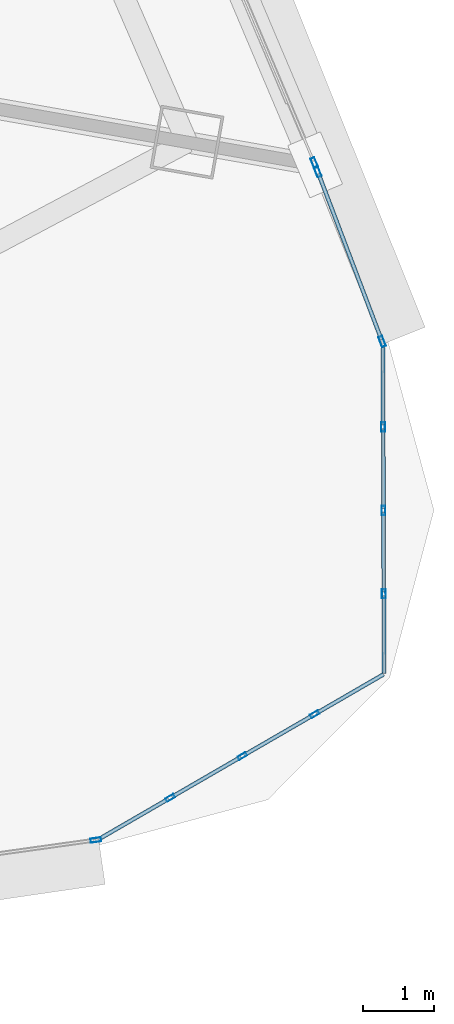
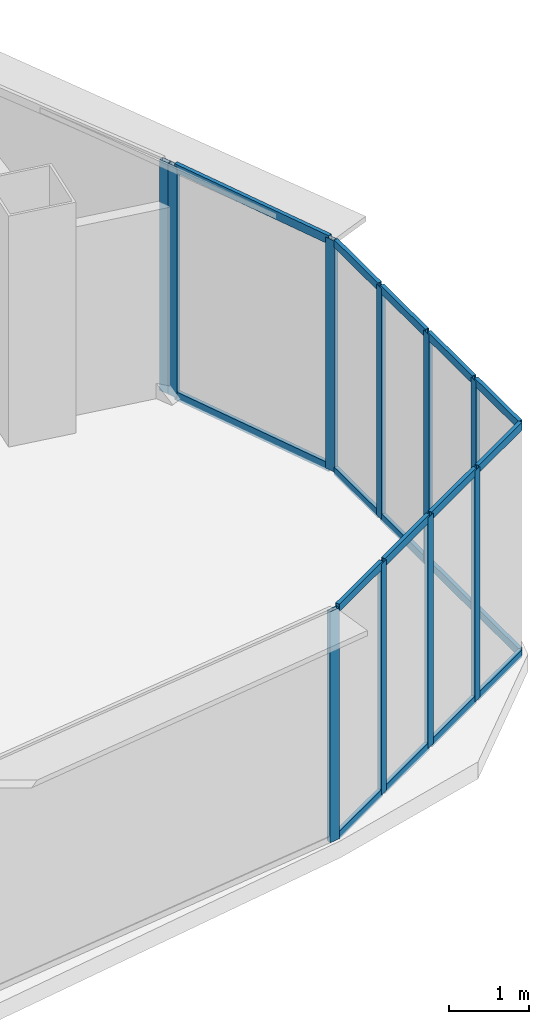
# One storey, part 23 of 37: 28 members, 5 elements without a shape of their own.
"""IFC4 building model written with IfcOpenShell, lengths in metres."""

from ifc_helpers import new_model, si_unit, direction, frame, origin, origin_2d, place, context, subcontext, project, spatial, hollow_rectangle, extrude, source, transform, mapped, material, layer, layer_set, material_profile, profile_set, type_object, element, aggregate, save


model = new_model("IFC4")

# Units and contexts
model_context = context("Model", 3, precision=1e-05, world=origin(), true_north=direction((0.0, 1.0)))
body_context = subcontext(model_context, "Body", "Model", "MODEL_VIEW")
ifc_project = project(units=[si_unit("LENGTHUNIT", "METRE"), si_unit("AREAUNIT", "SQUARE_METRE"), si_unit("VOLUMEUNIT", "CUBIC_METRE"), si_unit("PLANEANGLEUNIT", "RADIAN"), si_unit("MASSUNIT", "GRAM", prefix="KILO"), si_unit("THERMODYNAMICTEMPERATUREUNIT", "KELVIN"), si_unit("POWERUNIT", "WATT")], contexts=[model_context])

# Site, building, storey
site_placement = place(None, origin())
site = spatial("IfcSite", under=ifc_project, at=site_placement, CompositionType="ELEMENT")
building_placement = place(site_placement, origin())
building = spatial("IfcBuilding", under=site, at=building_placement, Name="Yunzhuo Pagoda Commons", CompositionType="ELEMENT")
storey_placement = place(building_placement, frame((0.0, 0.0, 207.56005859375)))
storey = spatial("IfcBuildingStorey", under=building, at=storey_placement, Name="L52", CompositionType="ELEMENT", Elevation=207.56005859375)

# Curtain wall, members
ifc_material = material(Name="Anodized aluminium 6063-T6", Category="aluminium")
ifc_layer_1 = layer(ifc_material, 0.1298828125)
ifc_layer_set_1 = layer_set([ifc_layer_1], Name="Anodized aluminium 6063-T6")
curtain_wall_type_1 = type_object("IfcCurtainWallType", Name="CW-VTX Rounded Corner Curtain Wall", PredefinedType="NOTDEFINED", material=ifc_layer_set_1)
curtain_wall_1_placement = place(storey_placement, origin())
curtain_wall_1 = element("IfcCurtainWall", 1, at=curtain_wall_1_placement, inside=storey, type_object=curtain_wall_type_1, Name="L52 curtain wall CW-L52-VTX2S1", PredefinedType="NOTDEFINED")
ifc_material_profile_1 = material_profile(ifc_material, hollow_rectangle(XDim=0.054931640625, YDim=0.1298828125, WallThickness=0.00341796875, at=origin_2d()), Name="Anodized aluminium 6063-T6")
ifc_profile_set_1 = profile_set([ifc_material_profile_1], Name="Anodized aluminium 6063-T6")
member_type_1 = type_object("IfcMemberType", Name="CW-VTX-M Mullion RHS 130x55x3.5", PredefinedType="MULLION", material=ifc_profile_set_1)
shared_shape_1 = source(origin(), body_context, "Body", "SweptSolid", [
    extrude(hollow_rectangle(XDim=0.054931640625, YDim=0.1298828125, WallThickness=0.00341796875, at=origin_2d()), origin(), (0.0, 0.0, 1.0), 3.5400390625),
])
member_1_placement = place(storey_placement, frame((82.969482421875, 18.24169921875, 0.0), z_axis=(0.0, 0.0, 1.0), x_axis=(-0.50103710735, 0.865425801013, 0.0)))
member_1 = element("IfcMember", 2, at=member_1_placement, type_object=member_type_1, Name="CW mullion 2", PredefinedType="MULLION", context=body_context, shape_type="MappedRepresentation", body=[
    mapped(shared_shape_1, transform((0.0, 0.0, 0.0), scale=1.0)),
])
member_2_placement = place(storey_placement, frame((83.989013671875, 18.831787109375, 0.0), z_axis=(0.0, 0.0, 1.0), x_axis=(-0.50103710735, 0.865425801013, 0.0)))
member_2 = element("IfcMember", 3, at=member_2_placement, type_object=member_type_1, Name="CW mullion 3", PredefinedType="MULLION", context=body_context, shape_type="MappedRepresentation", body=[
    mapped(shared_shape_1, transform((0.0, 0.0, 0.0), scale=1.0)),
])
member_3_placement = place(storey_placement, frame((85.008056640625, 19.421875, 0.0), z_axis=(0.0, 0.0, 1.0), x_axis=(-0.50103710735, 0.865425801013, 0.0)))
member_3 = element("IfcMember", 4, at=member_3_placement, type_object=member_type_1, Name="CW mullion 4", PredefinedType="MULLION", context=body_context, shape_type="MappedRepresentation", body=[
    mapped(shared_shape_1, transform((0.0, 0.0, 0.0), scale=1.0)),
])

curtain_wall_2_placement = place(storey_placement, origin())
curtain_wall_2 = element("IfcCurtainWall", 5, at=curtain_wall_2_placement, inside=storey, type_object=curtain_wall_type_1, Name="L52 curtain wall CW-L52-VTX2S2", PredefinedType="NOTDEFINED")
member_4_placement = place(storey_placement, frame((85.98291015625, 21.1201171875, 0.0), z_axis=(0.0, 0.0, 1.0), x_axis=(-0.999993564434, -0.00358763029, 0.0)))
member_4 = element("IfcMember", 6, at=member_4_placement, type_object=member_type_1, Name="CW mullion 2", PredefinedType="MULLION", context=body_context, shape_type="MappedRepresentation", body=[
    mapped(shared_shape_1, transform((0.0, 0.0, 0.0), scale=1.0)),
])
member_5_placement = place(storey_placement, frame((85.978759765625, 22.297607421875, 0.0), z_axis=(0.0, 0.0, 1.0), x_axis=(-0.999993564434, -0.00358763029, 0.0)))
member_5 = element("IfcMember", 7, at=member_5_placement, type_object=member_type_1, Name="CW mullion 3", PredefinedType="MULLION", context=body_context, shape_type="MappedRepresentation", body=[
    mapped(shared_shape_1, transform((0.0, 0.0, 0.0), scale=1.0)),
])
member_6_placement = place(storey_placement, frame((85.974365234375, 23.475341796875, 0.0), z_axis=(0.0, 0.0, 1.0), x_axis=(-0.999993564434, -0.00358763029, 0.0)))
member_6 = element("IfcMember", 8, at=member_6_placement, type_object=member_type_1, Name="CW mullion 4", PredefinedType="MULLION", context=body_context, shape_type="MappedRepresentation", body=[
    mapped(shared_shape_1, transform((0.0, 0.0, 0.0), scale=1.0)),
])

# Curtain wall, member
ifc_layer_2 = layer(ifc_material, 0.14990234375)
ifc_layer_set_2 = layer_set([ifc_layer_2], Name="Anodized aluminium 6063-T6")
curtain_wall_type_2 = type_object("IfcCurtainWallType", Name="CW-MID Mid-Zone Ribbon Curtain Wall", PredefinedType="NOTDEFINED", material=ifc_layer_set_2)
curtain_wall_3_placement = place(storey_placement, origin())
curtain_wall_3 = element("IfcCurtainWall", 9, at=curtain_wall_3_placement, inside=storey, type_object=curtain_wall_type_2, Name="L52 curtain wall CW-L52-F1B5", PredefinedType="NOTDEFINED")
ifc_material_profile_2 = material_profile(ifc_material, hollow_rectangle(XDim=0.06005859375, YDim=0.14990234375, WallThickness=0.00390625, at=origin_2d()), Name="Anodized aluminium 6063-T6")
ifc_profile_set_2 = profile_set([ifc_material_profile_2], Name="Anodized aluminium 6063-T6")
member_type_2 = type_object("IfcMemberType", Name="CW-MID-M Mullion RHS 150x60x4", PredefinedType="MULLION", material=ifc_profile_set_2)
shared_shape_2 = source(origin(), body_context, "Body", "SweptSolid", [
    extrude(hollow_rectangle(XDim=0.06005859375, YDim=0.14990234375, WallThickness=0.00390625, at=origin_2d()), origin(), (0.0, 0.0, 1.0), 3.5400390625),
])
member_7_placement = place(storey_placement, frame((81.920654296875, 17.6474609375, 0.0), z_axis=(0.0, 0.0, 1.0), x_axis=(-0.138819494362, 0.990317700531, 0.0)))
member_7 = element("IfcMember", 10, at=member_7_placement, type_object=member_type_2, Name="CW mullion 2", PredefinedType="MULLION", context=body_context, shape_type="MappedRepresentation", body=[
    mapped(shared_shape_2, transform((0.0, 0.0, 0.0), scale=1.0)),
])
aggregate(curtain_wall_3, [member_7])

curtain_wall_4_placement = place(storey_placement, origin())
curtain_wall_4 = element("IfcCurtainWall", 11, at=curtain_wall_4_placement, inside=storey, type_object=curtain_wall_type_2, Name="L52 curtain wall CW-L52-F2B2", PredefinedType="NOTDEFINED")
member_8_placement = place(storey_placement, frame((85.0029296875, 27.200927734375, 0.0), z_axis=(0.0, 0.0, 1.0), x_axis=(-0.920824274127, -0.389977763697, 0.0)))
member_8 = element("IfcMember", 12, at=member_8_placement, type_object=member_type_2, Name="CW mullion 1", PredefinedType="MULLION", context=body_context, shape_type="MappedRepresentation", body=[
    mapped(shared_shape_2, transform((0.0, 0.0, 0.0), scale=1.0)),
])
aggregate(curtain_wall_4, [member_8])

# Curtain wall, members
curtain_wall_5_placement = place(storey_placement, origin())
curtain_wall_5 = element("IfcCurtainWall", 13, at=curtain_wall_5_placement, inside=storey, type_object=curtain_wall_type_2, Name="L52 curtain wall CW-L52-F2B1", PredefinedType="NOTDEFINED")
member_9_placement = place(storey_placement, frame((85.95947265625, 24.68115234375, 0.0), z_axis=(0.0, 0.0, 1.0), x_axis=(-0.935033739191, -0.354558749116, 0.0)))
member_9 = element("IfcMember", 14, at=member_9_placement, type_object=member_type_2, Name="CW mullion 1", PredefinedType="MULLION", context=body_context, shape_type="MappedRepresentation", body=[
    mapped(shared_shape_2, transform((0.0, 0.0, 0.0), scale=1.0)),
])
member_10_placement = place(storey_placement, frame((85.0517578125, 27.0751953125, 0.0), z_axis=(0.0, 0.0, 1.0), x_axis=(-0.935033739191, -0.354558749116, 0.0)))
member_10 = element("IfcMember", 15, at=member_10_placement, type_object=member_type_2, Name="CW mullion 2", PredefinedType="MULLION", context=body_context, shape_type="MappedRepresentation", body=[
    mapped(shared_shape_2, transform((0.0, 0.0, 0.0), scale=1.0)),
])
ifc_material_profile_3 = material_profile(ifc_material, hollow_rectangle(XDim=0.054931640625, YDim=0.1298828125, WallThickness=0.00341796875, at=origin_2d()), Name="Anodized aluminium 6063-T6")
ifc_profile_set_3 = profile_set([ifc_material_profile_3], Name="Anodized aluminium 6063-T6")
member_type_3 = type_object("IfcMemberType", Name="CW-MID-T Transom RHS 130x55x3.5", PredefinedType="USERDEFINED", material=ifc_profile_set_3)
shared_shape_3 = source(origin(), body_context, "Body", "SweptSolid", [
    extrude(hollow_rectangle(XDim=0.054931640625, YDim=0.1298828125, WallThickness=0.00341796875, at=origin_2d()), origin(), (0.0, 0.0, 1.0), 2.500732421875),
])
member_11_placement = place(storey_placement, frame((85.948974609375, 24.708984375, 0.02734375), z_axis=(-0.354598313462, 0.935018735689, 0.0), x_axis=(-0.935018735689, -0.354598313462, 0.0)))
member_11 = element("IfcMember", 16, at=member_11_placement, type_object=member_type_3, Name="CW transom 1.1", ObjectType="TRANSOM", PredefinedType="USERDEFINED", context=body_context, shape_type="MappedRepresentation", body=[
    mapped(shared_shape_3, transform((0.0, 0.0, 0.0), scale=1.0)),
])
member_12_placement = place(storey_placement, frame((85.948974609375, 24.708984375, 3.512451171875), z_axis=(-0.354598313462, 0.935018735689, 0.0), x_axis=(-0.935018735689, -0.354598313462, 0.0)))
member_12 = element("IfcMember", 17, at=member_12_placement, type_object=member_type_3, Name="CW transom 1.2", ObjectType="TRANSOM", PredefinedType="USERDEFINED", context=body_context, shape_type="MappedRepresentation", body=[
    mapped(shared_shape_3, transform((0.0, 0.0, 0.0), scale=1.0)),
])
aggregate(curtain_wall_5, [member_9, member_10, member_11, member_12])

# Member
ifc_material_profile_4 = material_profile(ifc_material, hollow_rectangle(XDim=0.054931640625, YDim=0.1201171875, WallThickness=0.00341796875, at=origin_2d()), Name="Anodized aluminium 6063-T6")
ifc_profile_set_4 = profile_set([ifc_material_profile_4], Name="Anodized aluminium 6063-T6")
member_type_4 = type_object("IfcMemberType", Name="CW-VTX-T Transom RHS 120x55x3.5", PredefinedType="USERDEFINED", material=ifc_profile_set_4)
shared_shape_4 = source(origin(), body_context, "Body", "SweptSolid", [
    extrude(hollow_rectangle(XDim=0.054931640625, YDim=0.1201171875, WallThickness=0.00341796875, at=origin_2d()), origin(), (0.0, 0.0, 1.0), 1.094970703125),
])
member_13_placement = place(storey_placement, frame((85.98681640625, 19.99755859375, 0.02734375), z_axis=(-0.003567424345, 0.999993636722, 0.0), x_axis=(-0.999993636722, -0.003567424345, 0.0)))
member_13 = element("IfcMember", 18, at=member_13_placement, type_object=member_type_4, Name="CW transom 1.1", ObjectType="TRANSOM", PredefinedType="USERDEFINED", context=body_context, shape_type="MappedRepresentation", body=[
    mapped(shared_shape_4, transform((0.0, 0.0, 0.0), scale=1.0)),
])

member_14_placement = place(storey_placement, frame((85.98681640625, 19.99755859375, 3.512451171875), z_axis=(-0.003567424345, 0.999993636722, 0.0), x_axis=(-0.999993636722, -0.003567424345, 0.0)))
member_14 = element("IfcMember", 19, at=member_14_placement, type_object=member_type_4, Name="CW transom 1.2", ObjectType="TRANSOM", PredefinedType="USERDEFINED", context=body_context, shape_type="MappedRepresentation", body=[
    mapped(shared_shape_4, transform((0.0, 0.0, 0.0), scale=1.0)),
])

member_15_placement = place(storey_placement, frame((85.974365234375, 23.5029296875, 0.02734375), z_axis=(-0.003567424345, 0.999993636722, 0.0), x_axis=(-0.999993636722, -0.003567424345, 0.0)))
member_15 = element("IfcMember", 20, at=member_15_placement, type_object=member_type_4, Name="CW transom 4.1", ObjectType="TRANSOM", PredefinedType="USERDEFINED", context=body_context, shape_type="MappedRepresentation", body=[
    mapped(shared_shape_4, transform((0.0, 0.0, 0.0), scale=1.0)),
])

member_16_placement = place(storey_placement, frame((85.974365234375, 23.5029296875, 3.512451171875), z_axis=(-0.003567424345, 0.999993636722, 0.0), x_axis=(-0.999993636722, -0.003567424345, 0.0)))
member_16 = element("IfcMember", 21, at=member_16_placement, type_object=member_type_4, Name="CW transom 4.2", ObjectType="TRANSOM", PredefinedType="USERDEFINED", context=body_context, shape_type="MappedRepresentation", body=[
    mapped(shared_shape_4, transform((0.0, 0.0, 0.0), scale=1.0)),
])

shared_shape_5 = source(origin(), body_context, "Body", "SweptSolid", [
    extrude(hollow_rectangle(XDim=0.054931640625, YDim=0.1201171875, WallThickness=0.00341796875, at=origin_2d()), origin(), (0.0, 0.0, 1.0), 1.12255859375),
])
member_17_placement = place(storey_placement, frame((85.978515625, 22.3251953125, 0.02734375), z_axis=(-0.003479752747, 0.999993945642, 0.0), x_axis=(-0.999993945642, -0.003479752747, 0.0)))
member_17 = element("IfcMember", 22, at=member_17_placement, type_object=member_type_4, Name="CW transom 3.1", ObjectType="TRANSOM", PredefinedType="USERDEFINED", context=body_context, shape_type="MappedRepresentation", body=[
    mapped(shared_shape_5, transform((0.0, 0.0, 0.0), scale=1.0)),
])

member_18_placement = place(storey_placement, frame((85.978515625, 22.3251953125, 3.512451171875), z_axis=(-0.003479752747, 0.999993945642, 0.0), x_axis=(-0.999993945642, -0.003479752747, 0.0)))
member_18 = element("IfcMember", 23, at=member_18_placement, type_object=member_type_4, Name="CW transom 3.2", ObjectType="TRANSOM", PredefinedType="USERDEFINED", context=body_context, shape_type="MappedRepresentation", body=[
    mapped(shared_shape_5, transform((0.0, 0.0, 0.0), scale=1.0)),
])

shared_shape_6 = source(origin(), body_context, "Body", "SweptSolid", [
    extrude(hollow_rectangle(XDim=0.054931640625, YDim=0.1201171875, WallThickness=0.00341796875, at=origin_2d()), origin(), (0.0, 0.0, 1.0), 1.122802734375),
])
member_19_placement = place(storey_placement, frame((82.9931640625, 18.255615234375, 0.02734375), z_axis=(0.865446134898, 0.501001983619, 0.0), x_axis=(-0.501001983619, 0.865446134898, 0.0)))
member_19 = element("IfcMember", 24, at=member_19_placement, type_object=member_type_4, Name="CW transom 2.1", ObjectType="TRANSOM", PredefinedType="USERDEFINED", context=body_context, shape_type="MappedRepresentation", body=[
    mapped(shared_shape_6, transform((0.0, 0.0, 0.0), scale=1.0)),
])

member_20_placement = place(storey_placement, frame((82.9931640625, 18.255615234375, 3.512451171875), z_axis=(0.865446134898, 0.501001983619, 0.0), x_axis=(-0.501001983619, 0.865446134898, 0.0)))
member_20 = element("IfcMember", 25, at=member_20_placement, type_object=member_type_4, Name="CW transom 2.2", ObjectType="TRANSOM", PredefinedType="USERDEFINED", context=body_context, shape_type="MappedRepresentation", body=[
    mapped(shared_shape_6, transform((0.0, 0.0, 0.0), scale=1.0)),
])

member_21_placement = place(storey_placement, frame((84.012451171875, 18.845458984375, 0.02734375), z_axis=(0.865446134898, 0.501001983619, 0.0), x_axis=(-0.501001983619, 0.865446134898, 0.0)))
member_21 = element("IfcMember", 26, at=member_21_placement, type_object=member_type_4, Name="CW transom 3.1", ObjectType="TRANSOM", PredefinedType="USERDEFINED", context=body_context, shape_type="MappedRepresentation", body=[
    mapped(shared_shape_6, transform((0.0, 0.0, 0.0), scale=1.0)),
])

member_22_placement = place(storey_placement, frame((84.012451171875, 18.845458984375, 3.512451171875), z_axis=(0.865446134898, 0.501001983619, 0.0), x_axis=(-0.501001983619, 0.865446134898, 0.0)))
member_22 = element("IfcMember", 27, at=member_22_placement, type_object=member_type_4, Name="CW transom 3.2", ObjectType="TRANSOM", PredefinedType="USERDEFINED", context=body_context, shape_type="MappedRepresentation", body=[
    mapped(shared_shape_6, transform((0.0, 0.0, 0.0), scale=1.0)),
])

member_23_placement = place(storey_placement, frame((85.982666015625, 21.1474609375, 0.02734375), z_axis=(-0.003478996124, 0.999993948275, 0.0), x_axis=(-0.999993948275, -0.003478996124, 0.0)))
member_23 = element("IfcMember", 28, at=member_23_placement, type_object=member_type_4, Name="CW transom 2.1", ObjectType="TRANSOM", PredefinedType="USERDEFINED", context=body_context, shape_type="MappedRepresentation", body=[
    mapped(shared_shape_6, transform((0.0, 0.0, 0.0), scale=1.0)),
])

member_24_placement = place(storey_placement, frame((85.982666015625, 21.1474609375, 3.512451171875), z_axis=(-0.003478996124, 0.999993948275, 0.0), x_axis=(-0.999993948275, -0.003478996124, 0.0)))
member_24 = element("IfcMember", 29, at=member_24_placement, type_object=member_type_4, Name="CW transom 2.2", ObjectType="TRANSOM", PredefinedType="USERDEFINED", context=body_context, shape_type="MappedRepresentation", body=[
    mapped(shared_shape_6, transform((0.0, 0.0, 0.0), scale=1.0)),
])

aggregate(curtain_wall_2, [member_4, member_5, member_6, member_13, member_14, member_23, member_24, member_17, member_18, member_15, member_16])

shared_shape_7 = source(origin(), body_context, "Body", "SweptSolid", [
    extrude(hollow_rectangle(XDim=0.054931640625, YDim=0.1201171875, WallThickness=0.00341796875, at=origin_2d()), origin(), (0.0, 0.0, 1.0), 1.09521484375),
])
member_25_placement = place(storey_placement, frame((81.997802734375, 17.67919921875, 0.02734375), z_axis=(0.865375407163, 0.501124140985, 0.0), x_axis=(-0.501124140985, 0.865375407163, 0.0)))
member_25 = element("IfcMember", 30, at=member_25_placement, type_object=member_type_4, Name="CW transom 1.1", ObjectType="TRANSOM", PredefinedType="USERDEFINED", context=body_context, shape_type="MappedRepresentation", body=[
    mapped(shared_shape_7, transform((0.0, 0.0, 0.0), scale=1.0)),
])

member_26_placement = place(storey_placement, frame((81.997802734375, 17.67919921875, 3.512451171875), z_axis=(0.865375407163, 0.501124140985, 0.0), x_axis=(-0.501124140985, 0.865375407163, 0.0)))
member_26 = element("IfcMember", 31, at=member_26_placement, type_object=member_type_4, Name="CW transom 1.2", ObjectType="TRANSOM", PredefinedType="USERDEFINED", context=body_context, shape_type="MappedRepresentation", body=[
    mapped(shared_shape_7, transform((0.0, 0.0, 0.0), scale=1.0)),
])

member_27_placement = place(storey_placement, frame((85.03173828125, 19.435546875, 0.02734375), z_axis=(0.865375407163, 0.501124140985, 0.0), x_axis=(-0.501124140985, 0.865375407163, 0.0)))
member_27 = element("IfcMember", 32, at=member_27_placement, type_object=member_type_4, Name="CW transom 4.1", ObjectType="TRANSOM", PredefinedType="USERDEFINED", context=body_context, shape_type="MappedRepresentation", body=[
    mapped(shared_shape_7, transform((0.0, 0.0, 0.0), scale=1.0)),
])

member_28_placement = place(storey_placement, frame((85.03173828125, 19.435546875, 3.512451171875), z_axis=(0.865375407163, 0.501124140985, 0.0), x_axis=(-0.501124140985, 0.865375407163, 0.0)))
member_28 = element("IfcMember", 33, at=member_28_placement, type_object=member_type_4, Name="CW transom 4.2", ObjectType="TRANSOM", PredefinedType="USERDEFINED", context=body_context, shape_type="MappedRepresentation", body=[
    mapped(shared_shape_7, transform((0.0, 0.0, 0.0), scale=1.0)),
])

aggregate(curtain_wall_1, [member_1, member_2, member_3, member_25, member_26, member_19, member_20, member_21, member_22, member_27, member_28])

save(model, "model.ifc")
